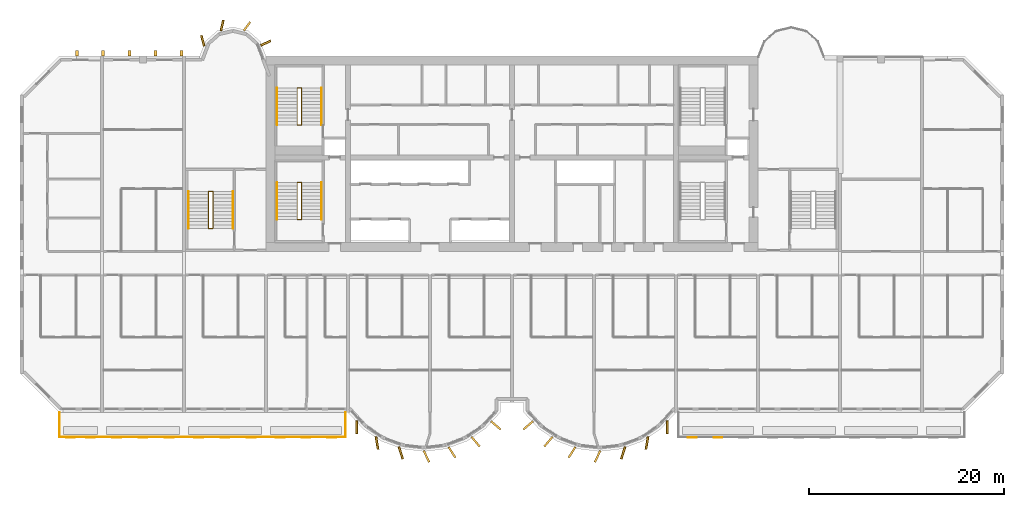
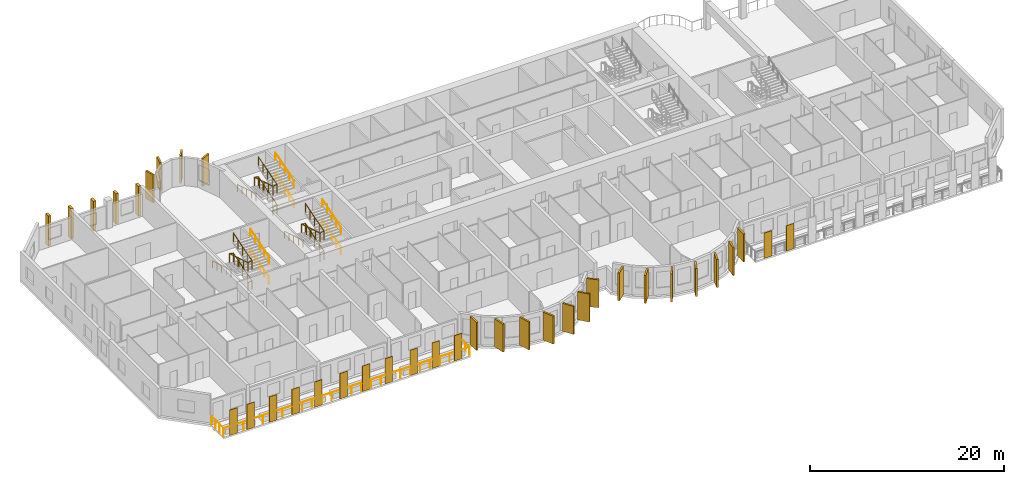
# One storey, part 13 of 15: 36 coverings, 13 railings.
"""IFC4 building model written with IfcOpenShell, lengths in metres."""

from ifc_helpers import new_model, si_unit, direction, frame, origin, origin_2d, place, context, subcontext, project, spatial, rectangle, circle, extrude, source, transform, mapped, material, layer, layer_set, material_profile, profile_set, type_object, element, save


model = new_model("IFC4")

# Units and contexts
model_context = context("Model", 3, precision=1e-05, world=origin(), true_north=direction((0.0, 1.0)))
body_context = subcontext(model_context, "Body", "Model", "MODEL_VIEW")
ifc_project = project(units=[si_unit("LENGTHUNIT", "METRE"), si_unit("AREAUNIT", "SQUARE_METRE"), si_unit("VOLUMEUNIT", "CUBIC_METRE"), si_unit("PLANEANGLEUNIT", "RADIAN"), si_unit("MASSUNIT", "GRAM", prefix="KILO")], contexts=[model_context])

# Site, building, storey
site_placement = place(None, origin())
site = spatial("IfcSite", under=ifc_project, at=site_placement, CompositionType="ELEMENT")
building_placement = place(site_placement, origin())
building = spatial("IfcBuilding", under=site, at=building_placement, Name="Vanashikhar Sky Hotel", CompositionType="ELEMENT")
storey_placement = place(building_placement, frame((0.0, 0.0, 137.0)))
storey = spatial("IfcBuildingStorey", under=building, at=storey_placement, Name="L33", CompositionType="ELEMENT", Elevation=137.0)

# Railing
ifc_material_1 = material(Name="Stainless steel 316", Category="steel")
railing_type_1 = type_object("IfcRailingType", Name="Balcony guard 1100", PredefinedType="GUARDRAIL", material=ifc_material_1)
shared_shape_1 = source(origin(), body_context, "Body", "SweptSolid", [
    extrude(circle(Radius=0.02392578125, at=origin_2d()), frame((0.0, 0.0, 1.076171875), z_axis=(0.0, -1.0, 0.0), x_axis=(1.0, 0.0, 0.0)), (0.0, 0.0, 1.0), 2.5),
    extrude(circle(Radius=0.02392578125, at=origin_2d()), frame((0.0, -2.5, 1.076171875), z_axis=(1.0, 0.0, 0.0), x_axis=(0.0, 1.0, 0.0)), (0.0, 0.0, 1.0), 29.280029296875),
    extrude(circle(Radius=0.02392578125, at=origin_2d()), frame((29.280029296875, -2.5, 1.076171875), z_axis=(0.0, 1.0, 0.0), x_axis=(-1.0, 0.0, 0.0)), (0.0, 0.0, 1.0), 2.5),
    extrude(circle(Radius=0.02099609375, at=origin_2d()), origin(), (0.0, 0.0, 1.0), 1.052001953125),
    extrude(circle(Radius=0.02099609375, at=origin_2d()), frame((0.0, -0.833251953125, 0.0)), (0.0, 0.0, 1.0), 1.052001953125),
    extrude(circle(Radius=0.02099609375, at=origin_2d()), frame((0.0, -1.666748046875, 0.0)), (0.0, 0.0, 1.0), 1.052001953125),
    extrude(circle(Radius=0.02099609375, at=origin_2d()), frame((0.0, -2.5, 0.0)), (0.0, 0.0, 1.0), 1.052001953125),
    extrude(circle(Radius=0.02099609375, at=origin_2d()), frame((1.171142578125, -2.5, 0.0)), (0.0, 0.0, 1.0), 1.052001953125),
    extrude(circle(Radius=0.02099609375, at=origin_2d()), frame((2.34228515625, -2.5, 0.0)), (0.0, 0.0, 1.0), 1.052001953125),
    extrude(circle(Radius=0.02099609375, at=origin_2d()), frame((3.513671875, -2.5, 0.0)), (0.0, 0.0, 1.0), 1.052001953125),
    extrude(circle(Radius=0.02099609375, at=origin_2d()), frame((4.684814453125, -2.5, 0.0)), (0.0, 0.0, 1.0), 1.052001953125),
    extrude(circle(Radius=0.02099609375, at=origin_2d()), frame((5.85595703125, -2.5, 0.0)), (0.0, 0.0, 1.0), 1.052001953125),
    extrude(circle(Radius=0.02099609375, at=origin_2d()), frame((7.027099609375, -2.5, 0.0)), (0.0, 0.0, 1.0), 1.052001953125),
    extrude(circle(Radius=0.02099609375, at=origin_2d()), frame((8.198486328125, -2.5, 0.0)), (0.0, 0.0, 1.0), 1.052001953125),
    extrude(circle(Radius=0.02099609375, at=origin_2d()), frame((9.36962890625, -2.5, 0.0)), (0.0, 0.0, 1.0), 1.052001953125),
    extrude(circle(Radius=0.02099609375, at=origin_2d()), frame((10.540771484375, -2.5, 0.0)), (0.0, 0.0, 1.0), 1.052001953125),
    extrude(circle(Radius=0.02099609375, at=origin_2d()), frame((11.7119140625, -2.5, 0.0)), (0.0, 0.0, 1.0), 1.052001953125),
    extrude(circle(Radius=0.02099609375, at=origin_2d()), frame((12.88330078125, -2.5, 0.0)), (0.0, 0.0, 1.0), 1.052001953125),
    extrude(circle(Radius=0.02099609375, at=origin_2d()), frame((14.054443359375, -2.5, 0.0)), (0.0, 0.0, 1.0), 1.052001953125),
    extrude(circle(Radius=0.02099609375, at=origin_2d()), frame((15.2255859375, -2.5, 0.0)), (0.0, 0.0, 1.0), 1.052001953125),
    extrude(circle(Radius=0.02099609375, at=origin_2d()), frame((16.396728515625, -2.5, 0.0)), (0.0, 0.0, 1.0), 1.052001953125),
    extrude(circle(Radius=0.02099609375, at=origin_2d()), frame((17.568115234375, -2.5, 0.0)), (0.0, 0.0, 1.0), 1.052001953125),
    extrude(circle(Radius=0.02099609375, at=origin_2d()), frame((18.7392578125, -2.5, 0.0)), (0.0, 0.0, 1.0), 1.052001953125),
    extrude(circle(Radius=0.02099609375, at=origin_2d()), frame((19.910400390625, -2.5, 0.0)), (0.0, 0.0, 1.0), 1.052001953125),
    extrude(circle(Radius=0.02099609375, at=origin_2d()), frame((21.08154296875, -2.5, 0.0)), (0.0, 0.0, 1.0), 1.052001953125),
    extrude(circle(Radius=0.02099609375, at=origin_2d()), frame((22.2529296875, -2.5, 0.0)), (0.0, 0.0, 1.0), 1.052001953125),
    extrude(circle(Radius=0.02099609375, at=origin_2d()), frame((23.424072265625, -2.5, 0.0)), (0.0, 0.0, 1.0), 1.052001953125),
    extrude(circle(Radius=0.02099609375, at=origin_2d()), frame((24.59521484375, -2.5, 0.0)), (0.0, 0.0, 1.0), 1.052001953125),
    extrude(circle(Radius=0.02099609375, at=origin_2d()), frame((25.766357421875, -2.5, 0.0)), (0.0, 0.0, 1.0), 1.052001953125),
    extrude(circle(Radius=0.02099609375, at=origin_2d()), frame((26.937744140625, -2.5, 0.0)), (0.0, 0.0, 1.0), 1.052001953125),
    extrude(circle(Radius=0.02099609375, at=origin_2d()), frame((28.10888671875, -2.5, 0.0)), (0.0, 0.0, 1.0), 1.052001953125),
    extrude(circle(Radius=0.02099609375, at=origin_2d()), frame((29.280029296875, -2.5, 0.0)), (0.0, 0.0, 1.0), 1.052001953125),
    extrude(circle(Radius=0.02099609375, at=origin_2d()), frame((29.280029296875, -1.666748046875, 0.0)), (0.0, 0.0, 1.0), 1.052001953125),
    extrude(circle(Radius=0.02099609375, at=origin_2d()), frame((29.280029296875, -0.833251953125, 0.0)), (0.0, 0.0, 1.0), 1.052001953125),
    extrude(circle(Radius=0.02099609375, at=origin_2d()), frame((29.280029296875, 0.0, 0.0)), (0.0, 0.0, 1.0), 1.052001953125),
])
railing_1_placement = place(storey_placement, frame((4.06005859375, 5.5, -0.050048828125)))
element("IfcRailing", 1, at=railing_1_placement, inside=storey, type_object=railing_type_1, Name="Balcony guard", PredefinedType="GUARDRAIL", context=body_context, shape_type="MappedRepresentation", body=[
    mapped(shared_shape_1, transform((0.0, 0.0, 0.0), scale=1.0)),
])

# Coverings
ifc_material_2 = material(Name="Concrete M60 dark", Category="concrete")
ifc_material_profile_1 = material_profile(ifc_material_2, rectangle(XDim=1.300048828125, YDim=0.199951171875, at=origin_2d()))
ifc_profile_set_1 = profile_set([ifc_material_profile_1], Name="Fin 1300 x 200")
covering_type_1 = type_object("IfcCoveringType", Name="Fin 1300 x 200", PredefinedType="CLADDING", material=ifc_profile_set_1)
shared_shape_2 = source(origin(), body_context, "Body", "SweptSolid", [
    extrude(rectangle(XDim=1.300048828125, YDim=0.199951171875, at=origin_2d()), origin(), (0.0, 0.0, 1.0), 3.52001953125),
])
for number, where, z_axis, x_axis, name in (
    (2, (34.482421875, 3.992919921875, 0.0), (0.0, 0.0, 1.0), (0.011588726826, -0.999932848451, 0.0), "Fin F1-1"),
    (3, (36.572509765625, 2.3779296875, 0.0), (0.0, 0.0, 1.0), (0.16989991575, -0.985461322746, 0.0), "Fin F1-2"),
    (4, (39.00830078125, 1.35693359375, 0.0), (0.0, 0.0, 1.0), (0.303966551867, -0.952682704444, 0.0), "Fin F1-3"),
    (5, (41.63232421875, 1.00146484375, 0.0), (0.0, 0.0, 1.0), (0.422618261741, -0.906307787037, 0.0), "Fin F1-4"),
    (6, (44.251953125, 1.416015625, 0.0), (0.0, 0.0, 1.0), (0.534411358496, -0.845224526331, 0.0), "Fin F1-5"),
    (7, (46.676025390625, 2.5, 0.0), (0.0, 0.0, 1.0), (0.645697609467, -0.763593214433, 0.0), "Fin F1-6"),
    (8, (48.7412109375, 4.1845703125, 0.0), (0.0, 0.0, 1.0), (0.758543912032, -0.65162192529, 0.0), "Fin F1-7"),
    (9, (52.058837890625, 4.1845703125, 0.0), (0.0, 0.0, 1.0), (-0.758543912032, -0.65162192529, 0.0), "Fin F2-1"),
    (10, (54.123779296875, 2.5, 0.0), (0.0, 0.0, 1.0), (-0.645697609467, -0.763593214433, 0.0), "Fin F2-2"),
    (11, (56.547119140625, 1.416015625, 0.0), (0.0, 0.0, 1.0), (-0.534411358496, -0.845224526331, 0.0), "Fin F2-3"),
    (12, (59.16748046875, 1.00146484375, 0.0), (0.0, 0.0, 1.0), (-0.422618261741, -0.906307787037, 0.0), "Fin F2-4"),
    (13, (61.790771484375, 1.35693359375, 0.0), (0.0, 0.0, 1.0), (-0.303966551867, -0.952682704444, 0.0), "Fin F2-5"),
    (14, (64.2275390625, 2.3779296875, 0.0), (0.0, 0.0, 1.0), (-0.16989991575, -0.985461322746, 0.0), "Fin F2-6"),
    (15, (66.317626953125, 3.992919921875, 0.0), (0.0, 0.0, 1.0), (-0.011588726826, -0.999932848451, 0.0), "Fin F2-7"),
):
    element("IfcCovering", number, at=place(storey_placement, frame(where, z_axis=z_axis, x_axis=x_axis)), inside=storey, type_object=covering_type_1, Name=name, PredefinedType="CLADDING", context=body_context, shape_type="MappedRepresentation", body=[
        mapped(shared_shape_2, transform((0.0, 0.0, 0.0), scale=1.0)),
    ])
ifc_material_profile_2 = material_profile(ifc_material_2, rectangle(XDim=1.10009765625, YDim=0.199951171875, at=origin_2d()))
ifc_profile_set_2 = profile_set([ifc_material_profile_2], Name="Rear lobe fin 1100 x 200")
covering_type_2 = type_object("IfcCoveringType", Name="Rear lobe fin 1100 x 200", PredefinedType="CLADDING", material=ifc_profile_set_2)
shared_shape_3 = source(origin(), body_context, "Body", "SweptSolid", [
    extrude(rectangle(XDim=1.10009765625, YDim=0.199951171875, at=origin_2d()), origin(), (0.0, 0.0, 1.0), 3.52001953125),
])
for number, where, z_axis, x_axis, name in (
    (16, (18.720703125, 43.580078125, 0.0), (0.0, 0.0, 1.0), (-0.262711264409, 0.964874495234, 0.0), "Fin R1-1"),
    (17, (20.710205078125, 45.1455078125, 0.0), (0.0, 0.0, 1.0), (0.224644935864, 0.974440687159, 0.0), "Fin R1-2"),
    (18, (23.261962890625, 45.06640625, 0.0), (0.0, 0.0, 1.0), (0.602065892195, 0.798446404874, 0.0), "Fin R1-3"),
    (19, (25.169677734375, 43.33447265625, 0.0), (0.0, 0.0, 1.0), (0.908004291068, 0.418960866193, 0.0), "Fin R1-4"),
):
    element("IfcCovering", number, at=place(storey_placement, frame(where, z_axis=z_axis, x_axis=x_axis)), inside=storey, type_object=covering_type_2, Name=name, PredefinedType="CLADDING", context=body_context, shape_type="MappedRepresentation", body=[
        mapped(shared_shape_3, transform((0.0, 0.0, 0.0), scale=1.0)),
    ])
ifc_material_3 = material(Name="Terracotta", Category="masonry")
ifc_layer = layer(ifc_material_3, 0.06005859375)
ifc_layer_set = layer_set([ifc_layer], Name="Terracotta baguette screen")
covering_type_3 = type_object("IfcCoveringType", Name="Terracotta baguette screen", PredefinedType="CLADDING", material=ifc_layer_set)
shared_shape_4 = source(origin(), body_context, "Body", "SweptSolid", [
    extrude(rectangle(XDim=0.89990234375, YDim=0.06005859375, at=origin_2d()), origin(), (0.0, 0.0, 1.0), 3.199951171875),
])
for number, where, z_axis, x_axis, name in (
    (20, (5.175048828125, 2.929931640625, -0.0498046875), (0.0, 0.0, 1.0), (1.0, 0.0, 0.0), "Terracotta screen"),
    (21, (7.22509765625, 2.929931640625, -0.0498046875), (0.0, 0.0, 1.0), (1.0, 0.0, 0.0), "Terracotta screen"),
    (22, (9.89990234375, 2.929931640625, -0.0498046875), (0.0, 0.0, 1.0), (1.0, 0.0, 0.0), "Terracotta screen"),
    (23, (12.60009765625, 2.929931640625, -0.0498046875), (0.0, 0.0, 1.0), (1.0, 0.0, 0.0), "Terracotta screen"),
    (24, (15.300048828125, 2.929931640625, -0.0498046875), (0.0, 0.0, 1.0), (1.0, 0.0, 0.0), "Terracotta screen"),
    (25, (18.300048828125, 2.929931640625, -0.0498046875), (0.0, 0.0, 1.0), (1.0, 0.0, 0.0), "Terracotta screen"),
    (26, (21.0, 2.929931640625, -0.0498046875), (0.0, 0.0, 1.0), (1.0, 0.0, 0.0), "Terracotta screen"),
    (27, (23.699951171875, 2.929931640625, -0.0498046875), (0.0, 0.0, 1.0), (1.0, 0.0, 0.0), "Terracotta screen"),
    (28, (26.666748046875, 2.929931640625, -0.0498046875), (0.0, 0.0, 1.0), (1.0, 0.0, 0.0), "Terracotta screen"),
    (29, (29.300048828125, 2.929931640625, -0.0498046875), (0.0, 0.0, 1.0), (1.0, 0.0, 0.0), "Terracotta screen"),
    (30, (31.933349609375, 2.929931640625, -0.0498046875), (0.0, 0.0, 1.0), (1.0, 0.0, 0.0), "Terracotta screen"),
    (31, (68.86669921875, 2.929931640625, -0.0498046875), (0.0, 0.0, 1.0), (1.0, 0.0, 0.0), "Terracotta screen"),
    (32, (71.5, 2.929931640625, -0.0498046875), (0.0, 0.0, 1.0), (1.0, 0.0, 0.0), "Terracotta screen"),
):
    element("IfcCovering", number, at=place(storey_placement, frame(where, z_axis=z_axis, x_axis=x_axis)), inside=storey, type_object=covering_type_3, Name=name, PredefinedType="CLADDING", context=body_context, shape_type="MappedRepresentation", body=[
        mapped(shared_shape_4, transform((0.0, 0.0, 0.0), scale=1.0)),
    ])
ifc_material_profile_3 = material_profile(ifc_material_2, rectangle(XDim=0.60009765625, YDim=0.300048828125, at=origin_2d()))
ifc_profile_set_3 = profile_set([ifc_material_profile_3], Name="Rear rib 600 x 300")
covering_type_4 = type_object("IfcCoveringType", Name="Rear rib 600 x 300", PredefinedType="CLADDING", material=ifc_profile_set_3)
shared_shape_5 = source(origin(), body_context, "Body", "SweptSolid", [
    extrude(rectangle(XDim=0.60009765625, YDim=0.300048828125, at=origin_2d()), origin(), (0.0, 0.0, 1.0), 3.800048828125),
])
for number, where, z_axis, x_axis, name in (
    (33, (5.840087890625, 42.300048828125, -0.280029296875), (0.0, 0.0, 1.0), (0.0, 1.0, 0.0), "Rear rib"),
    (34, (8.52001953125, 42.300048828125, -0.280029296875), (0.0, 0.0, 1.0), (0.0, 1.0, 0.0), "Rear rib"),
    (35, (11.199951171875, 42.300048828125, -0.280029296875), (0.0, 0.0, 1.0), (0.0, 1.0, 0.0), "Rear rib"),
    (36, (13.8798828125, 42.300048828125, -0.280029296875), (0.0, 0.0, 1.0), (0.0, 1.0, 0.0), "Rear rib"),
    (37, (16.56005859375, 42.300048828125, -0.280029296875), (0.0, 0.0, 1.0), (0.0, 1.0, 0.0), "Rear rib"),
):
    element("IfcCovering", number, at=place(storey_placement, frame(where, z_axis=z_axis, x_axis=x_axis)), inside=storey, type_object=covering_type_4, Name=name, PredefinedType="CLADDING", context=body_context, shape_type="MappedRepresentation", body=[
        mapped(shared_shape_5, transform((0.0, 0.0, 0.0), scale=1.0)),
    ])

# Railings
ifc_material_4 = material(Name="Steel S355", Category="steel")
railing_type_2 = type_object("IfcRailingType", Name="Stair handrail 900", PredefinedType="HANDRAIL", material=ifc_material_4)
shared_shape_6 = source(origin(), body_context, "Body", "SweptSolid", [
    extrude(circle(Radius=0.02392578125, at=origin_2d()), frame((0.0, 0.0, 0.8759765625), z_axis=(0.0, 0.95635109408, 0.292220096591), x_axis=(-1.0, 0.0, 0.0)), (0.0, 0.0, 1.0), 3.973388671875),
    extrude(circle(Radius=0.02099609375, at=origin_2d()), origin(), (0.0, 0.0, 1.0), 0.851806640625),
    extrude(circle(Radius=0.02099609375, at=origin_2d()), frame((0.0, 0.949951171875, 0.290283203125)), (0.0, 0.0, 1.0), 0.851806640625),
    extrude(circle(Radius=0.02099609375, at=origin_2d()), frame((0.0, 1.89990234375, 0.58056640625)), (0.0, 0.0, 1.0), 0.851806640625),
    extrude(circle(Radius=0.02099609375, at=origin_2d()), frame((0.0, 2.85009765625, 0.870849609375)), (0.0, 0.0, 1.0), 0.851806640625),
    extrude(circle(Radius=0.02099609375, at=origin_2d()), frame((0.0, 3.800048828125, 1.1611328125)), (0.0, 0.0, 1.0), 0.851806640625),
])
for number, where, name in (
    (38, (30.89990234375, 25.25, 0.10546875), "Exit stair 1 handrail"),
    (39, (30.89990234375, 25.25, 2.638916015625), "Exit stair 1 handrail"),
    (40, (30.89990234375, 34.949951171875, 0.10546875), "Exit stair 5 handrail"),
    (41, (30.89990234375, 34.949951171875, 2.638916015625), "Exit stair 5 handrail"),
):
    element("IfcRailing", number, at=place(storey_placement, frame(where)), inside=storey, type_object=railing_type_2, Name=name, PredefinedType="HANDRAIL", context=body_context, shape_type="MappedRepresentation", body=[
        mapped(shared_shape_6, transform((0.0, 0.0, 0.0), scale=1.0)),
    ])
shared_shape_7 = source(origin(), body_context, "Body", "SweptSolid", [
    extrude(circle(Radius=0.02392578125, at=origin_2d()), frame((0.0, 0.0, 0.8759765625), z_axis=(0.0, -0.95635109408, 0.292220096591), x_axis=(1.0, 0.0, 0.0)), (0.0, 0.0, 1.0), 3.973388671875),
    extrude(circle(Radius=0.02099609375, at=origin_2d()), origin(), (0.0, 0.0, 1.0), 0.851806640625),
    extrude(circle(Radius=0.02099609375, at=origin_2d()), frame((0.0, -0.949951171875, 0.290283203125)), (0.0, 0.0, 1.0), 0.851806640625),
    extrude(circle(Radius=0.02099609375, at=origin_2d()), frame((0.0, -1.89990234375, 0.58056640625)), (0.0, 0.0, 1.0), 0.851806640625),
    extrude(circle(Radius=0.02099609375, at=origin_2d()), frame((0.0, -2.85009765625, 0.870849609375)), (0.0, 0.0, 1.0), 0.851806640625),
    extrude(circle(Radius=0.02099609375, at=origin_2d()), frame((0.0, -3.800048828125, 1.1611328125)), (0.0, 0.0, 1.0), 0.851806640625),
])
for number, where, name in (
    (42, (26.35009765625, 29.050048828125, 1.372314453125), "Exit stair 1 handrail"),
    (43, (26.35009765625, 38.75, 1.372314453125), "Exit stair 5 handrail"),
):
    element("IfcRailing", number, at=place(storey_placement, frame(where)), inside=storey, type_object=railing_type_2, Name=name, PredefinedType="HANDRAIL", context=body_context, shape_type="MappedRepresentation", body=[
        mapped(shared_shape_7, transform((0.0, 0.0, 0.0), scale=1.0)),
    ])
railing_type_3 = type_object("IfcRailingType", Name="Stair guard 1100", PredefinedType="GUARDRAIL", material=ifc_material_4)
shared_shape_8 = source(origin(), body_context, "Body", "SweptSolid", [
    extrude(circle(Radius=0.02392578125, at=origin_2d()), frame((0.0, 0.0, 1.076171875), z_axis=(0.973638301096, 0.0, 0.228097476179), x_axis=(0.0, 1.0, 0.0)), (0.0, 0.0, 1.0), 0.46240234375),
    extrude(circle(Radius=0.02392578125, at=origin_2d()), frame((0.4501953125, 0.0, 1.181640625), z_axis=(0.0, 0.95635109408, 0.292220096591), x_axis=(-1.0, 0.0, 0.0)), (0.0, 0.0, 1.0), 3.973388671875),
    extrude(circle(Radius=0.02392578125, at=origin_2d()), frame((0.4501953125, 3.800048828125, 2.3427734375), z_axis=(-0.973520925263, 0.0, 0.228597917917), x_axis=(0.0, -1.0, 0.0)), (0.0, 0.0, 1.0), 0.46240234375),
    extrude(circle(Radius=0.02392578125, at=origin_2d()), frame((0.0, 3.800048828125, 2.4482421875), z_axis=(0.0, -0.95635109408, 0.292220096591), x_axis=(1.0, 0.0, 0.0)), (0.0, 0.0, 1.0), 3.973388671875),
    extrude(circle(Radius=0.02392578125, at=origin_2d()), frame((0.0, 0.0, 3.609375), z_axis=(0.973638301096, 0.0, 0.228097476179), x_axis=(0.0, 1.0, 0.0)), (0.0, 0.0, 1.0), 0.46240234375),
    extrude(circle(Radius=0.02392578125, at=origin_2d()), frame((0.4501953125, 0.0, 3.71484375), z_axis=(0.0, 0.95635109408, 0.292220096591), x_axis=(-1.0, 0.0, 0.0)), (0.0, 0.0, 1.0), 3.973388671875),
    extrude(circle(Radius=0.02099609375, at=origin_2d()), origin(), (0.0, 0.0, 1.0), 1.052001953125),
    extrude(circle(Radius=0.02099609375, at=origin_2d()), frame((0.4501953125, 0.0, 0.10546875)), (0.0, 0.0, 1.0), 1.052001953125),
    extrude(circle(Radius=0.02099609375, at=origin_2d()), frame((0.4501953125, 0.949951171875, 0.395751953125)), (0.0, 0.0, 1.0), 1.052001953125),
    extrude(circle(Radius=0.02099609375, at=origin_2d()), frame((0.4501953125, 1.89990234375, 0.68603515625)), (0.0, 0.0, 1.0), 1.052001953125),
    extrude(circle(Radius=0.02099609375, at=origin_2d()), frame((0.4501953125, 2.85009765625, 0.976318359375)), (0.0, 0.0, 1.0), 1.052001953125),
    extrude(circle(Radius=0.02099609375, at=origin_2d()), frame((0.4501953125, 3.800048828125, 1.2666015625)), (0.0, 0.0, 1.0), 1.052001953125),
    extrude(circle(Radius=0.02099609375, at=origin_2d()), frame((0.0, 3.800048828125, 1.372314453125)), (0.0, 0.0, 1.0), 1.052001953125),
    extrude(circle(Radius=0.02099609375, at=origin_2d()), frame((0.0, 2.85009765625, 1.66259765625)), (0.0, 0.0, 1.0), 1.052001953125),
    extrude(circle(Radius=0.02099609375, at=origin_2d()), frame((0.0, 1.89990234375, 1.952880859375)), (0.0, 0.0, 1.0), 1.052001953125),
    extrude(circle(Radius=0.02099609375, at=origin_2d()), frame((0.0, 0.949951171875, 2.2431640625)), (0.0, 0.0, 1.0), 1.052001953125),
    extrude(circle(Radius=0.02099609375, at=origin_2d()), frame((0.0, 0.0, 2.533447265625)), (0.0, 0.0, 1.0), 1.052001953125),
    extrude(circle(Radius=0.02099609375, at=origin_2d()), frame((0.4501953125, 0.0, 2.638916015625)), (0.0, 0.0, 1.0), 1.052001953125),
    extrude(circle(Radius=0.02099609375, at=origin_2d()), frame((0.4501953125, 0.949951171875, 2.92919921875)), (0.0, 0.0, 1.0), 1.052001953125),
    extrude(circle(Radius=0.02099609375, at=origin_2d()), frame((0.4501953125, 1.89990234375, 3.219482421875)), (0.0, 0.0, 1.0), 1.052001953125),
    extrude(circle(Radius=0.02099609375, at=origin_2d()), frame((0.4501953125, 2.85009765625, 3.509765625)), (0.0, 0.0, 1.0), 1.052001953125),
    extrude(circle(Radius=0.02099609375, at=origin_2d()), frame((0.4501953125, 3.800048828125, 3.800048828125)), (0.0, 0.0, 1.0), 1.052001953125),
])
for number, where, name in (
    (44, (28.39990234375, 25.25, 0.0), "Exit stair 1 guard"),
    (45, (28.39990234375, 34.949951171875, 0.0), "Exit stair 5 guard"),
):
    element("IfcRailing", number, at=place(storey_placement, frame(where)), inside=storey, type_object=railing_type_3, Name=name, PredefinedType="GUARDRAIL", context=body_context, shape_type="MappedRepresentation", body=[
        mapped(shared_shape_8, transform((0.0, 0.0, 0.0), scale=1.0)),
    ])
shared_shape_9 = source(origin(), body_context, "Body", "SweptSolid", [
    extrude(circle(Radius=0.02392578125, at=origin_2d()), frame((0.0, 0.0, 0.8759765625), z_axis=(0.0, 0.956345846891, 0.292237268557), x_axis=(-1.0, 0.0, 0.0)), (0.0, 0.0, 1.0), 3.97314453125),
    extrude(circle(Radius=0.02099609375, at=origin_2d()), origin(), (0.0, 0.0, 1.0), 0.851806640625),
    extrude(circle(Radius=0.02099609375, at=origin_2d()), frame((0.0, 0.949951171875, 0.290283203125)), (0.0, 0.0, 1.0), 0.851806640625),
    extrude(circle(Radius=0.02099609375, at=origin_2d()), frame((0.0, 1.89990234375, 0.58056640625)), (0.0, 0.0, 1.0), 0.851806640625),
    extrude(circle(Radius=0.02099609375, at=origin_2d()), frame((0.0, 2.849853515625, 0.870849609375)), (0.0, 0.0, 1.0), 0.851806640625),
    extrude(circle(Radius=0.02099609375, at=origin_2d()), frame((0.0, 3.7998046875, 1.1611328125)), (0.0, 0.0, 1.0), 0.851806640625),
])
for number, where, name in (
    (46, (21.800048828125, 24.35009765625, 0.10546875), "Exit stair 3 handrail"),
    (47, (21.800048828125, 24.35009765625, 2.638916015625), "Exit stair 3 handrail"),
):
    element("IfcRailing", number, at=place(storey_placement, frame(where)), inside=storey, type_object=railing_type_2, Name=name, PredefinedType="HANDRAIL", context=body_context, shape_type="MappedRepresentation", body=[
        mapped(shared_shape_9, transform((0.0, 0.0, 0.0), scale=1.0)),
    ])
shared_shape_10 = source(origin(), body_context, "Body", "SweptSolid", [
    extrude(circle(Radius=0.02392578125, at=origin_2d()), frame((0.0, 0.0, 0.8759765625), z_axis=(0.0, -0.956345846891, 0.292237268557), x_axis=(1.0, 0.0, 0.0)), (0.0, 0.0, 1.0), 3.97314453125),
    extrude(circle(Radius=0.02099609375, at=origin_2d()), origin(), (0.0, 0.0, 1.0), 0.851806640625),
    extrude(circle(Radius=0.02099609375, at=origin_2d()), frame((0.0, -0.949951171875, 0.290283203125)), (0.0, 0.0, 1.0), 0.851806640625),
    extrude(circle(Radius=0.02099609375, at=origin_2d()), frame((0.0, -1.89990234375, 0.58056640625)), (0.0, 0.0, 1.0), 0.851806640625),
    extrude(circle(Radius=0.02099609375, at=origin_2d()), frame((0.0, -2.849853515625, 0.870849609375)), (0.0, 0.0, 1.0), 0.851806640625),
    extrude(circle(Radius=0.02099609375, at=origin_2d()), frame((0.0, -3.7998046875, 1.1611328125)), (0.0, 0.0, 1.0), 0.851806640625),
])
railing_2_placement = place(storey_placement, frame((17.25, 28.14990234375, 1.372314453125)))
element("IfcRailing", 48, at=railing_2_placement, inside=storey, type_object=railing_type_2, Name="Exit stair 3 handrail", PredefinedType="HANDRAIL", context=body_context, shape_type="MappedRepresentation", body=[
    mapped(shared_shape_10, transform((0.0, 0.0, 0.0), scale=1.0)),
])
shared_shape_11 = source(origin(), body_context, "Body", "SweptSolid", [
    extrude(circle(Radius=0.02392578125, at=origin_2d()), frame((0.0, 0.0, 1.076171875), z_axis=(0.973610808694, 0.0, 0.228214796178), x_axis=(0.0, 1.0, 0.0)), (0.0, 0.0, 1.0), 0.462158203125),
    extrude(circle(Radius=0.02392578125, at=origin_2d()), frame((0.449951171875, 0.0, 1.181640625), z_axis=(0.0, 0.956345846891, 0.292237268557), x_axis=(-1.0, 0.0, 0.0)), (0.0, 0.0, 1.0), 3.97314453125),
    extrude(circle(Radius=0.02392578125, at=origin_2d()), frame((0.449951171875, 3.7998046875, 2.3427734375), z_axis=(-0.973493315427, 0.0, 0.228715466945), x_axis=(0.0, -1.0, 0.0)), (0.0, 0.0, 1.0), 0.462158203125),
    extrude(circle(Radius=0.02392578125, at=origin_2d()), frame((0.0, 3.7998046875, 2.4482421875), z_axis=(0.0, -0.956345846891, 0.292237268557), x_axis=(1.0, 0.0, 0.0)), (0.0, 0.0, 1.0), 3.97314453125),
    extrude(circle(Radius=0.02392578125, at=origin_2d()), frame((0.0, 0.0, 3.609375), z_axis=(0.973610808694, 0.0, 0.228214796178), x_axis=(0.0, 1.0, 0.0)), (0.0, 0.0, 1.0), 0.462158203125),
    extrude(circle(Radius=0.02392578125, at=origin_2d()), frame((0.449951171875, 0.0, 3.71484375), z_axis=(0.0, 0.956345846891, 0.292237268557), x_axis=(-1.0, 0.0, 0.0)), (0.0, 0.0, 1.0), 3.97314453125),
    extrude(circle(Radius=0.02099609375, at=origin_2d()), origin(), (0.0, 0.0, 1.0), 1.052001953125),
    extrude(circle(Radius=0.02099609375, at=origin_2d()), frame((0.449951171875, 0.0, 0.10546875)), (0.0, 0.0, 1.0), 1.052001953125),
    extrude(circle(Radius=0.02099609375, at=origin_2d()), frame((0.449951171875, 0.949951171875, 0.395751953125)), (0.0, 0.0, 1.0), 1.052001953125),
    extrude(circle(Radius=0.02099609375, at=origin_2d()), frame((0.449951171875, 1.89990234375, 0.68603515625)), (0.0, 0.0, 1.0), 1.052001953125),
    extrude(circle(Radius=0.02099609375, at=origin_2d()), frame((0.449951171875, 2.849853515625, 0.976318359375)), (0.0, 0.0, 1.0), 1.052001953125),
    extrude(circle(Radius=0.02099609375, at=origin_2d()), frame((0.449951171875, 3.7998046875, 1.2666015625)), (0.0, 0.0, 1.0), 1.052001953125),
    extrude(circle(Radius=0.02099609375, at=origin_2d()), frame((0.0, 3.7998046875, 1.372314453125)), (0.0, 0.0, 1.0), 1.052001953125),
    extrude(circle(Radius=0.02099609375, at=origin_2d()), frame((0.0, 2.849853515625, 1.66259765625)), (0.0, 0.0, 1.0), 1.052001953125),
    extrude(circle(Radius=0.02099609375, at=origin_2d()), frame((0.0, 1.89990234375, 1.952880859375)), (0.0, 0.0, 1.0), 1.052001953125),
    extrude(circle(Radius=0.02099609375, at=origin_2d()), frame((0.0, 0.949951171875, 2.2431640625)), (0.0, 0.0, 1.0), 1.052001953125),
    extrude(circle(Radius=0.02099609375, at=origin_2d()), frame((0.0, 0.0, 2.533447265625)), (0.0, 0.0, 1.0), 1.052001953125),
    extrude(circle(Radius=0.02099609375, at=origin_2d()), frame((0.449951171875, 0.0, 2.638916015625)), (0.0, 0.0, 1.0), 1.052001953125),
    extrude(circle(Radius=0.02099609375, at=origin_2d()), frame((0.449951171875, 0.949951171875, 2.92919921875)), (0.0, 0.0, 1.0), 1.052001953125),
    extrude(circle(Radius=0.02099609375, at=origin_2d()), frame((0.449951171875, 1.89990234375, 3.219482421875)), (0.0, 0.0, 1.0), 1.052001953125),
    extrude(circle(Radius=0.02099609375, at=origin_2d()), frame((0.449951171875, 2.849853515625, 3.509765625)), (0.0, 0.0, 1.0), 1.052001953125),
    extrude(circle(Radius=0.02099609375, at=origin_2d()), frame((0.449951171875, 3.7998046875, 3.800048828125)), (0.0, 0.0, 1.0), 1.052001953125),
])
railing_3_placement = place(storey_placement, frame((19.300048828125, 24.35009765625, 0.0)))
element("IfcRailing", 49, at=railing_3_placement, inside=storey, type_object=railing_type_3, Name="Exit stair 3 guard", PredefinedType="GUARDRAIL", context=body_context, shape_type="MappedRepresentation", body=[
    mapped(shared_shape_11, transform((0.0, 0.0, 0.0), scale=1.0)),
])

save(model, "model.ifc")
